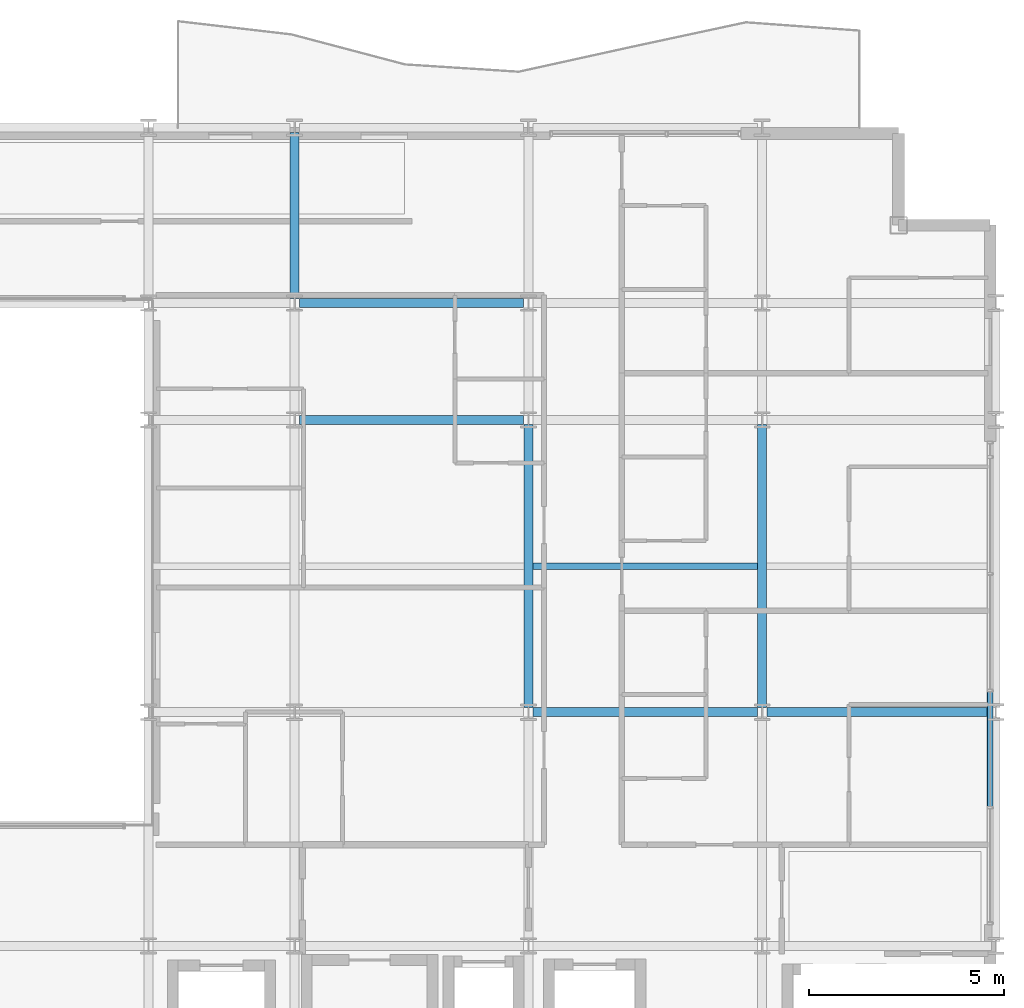
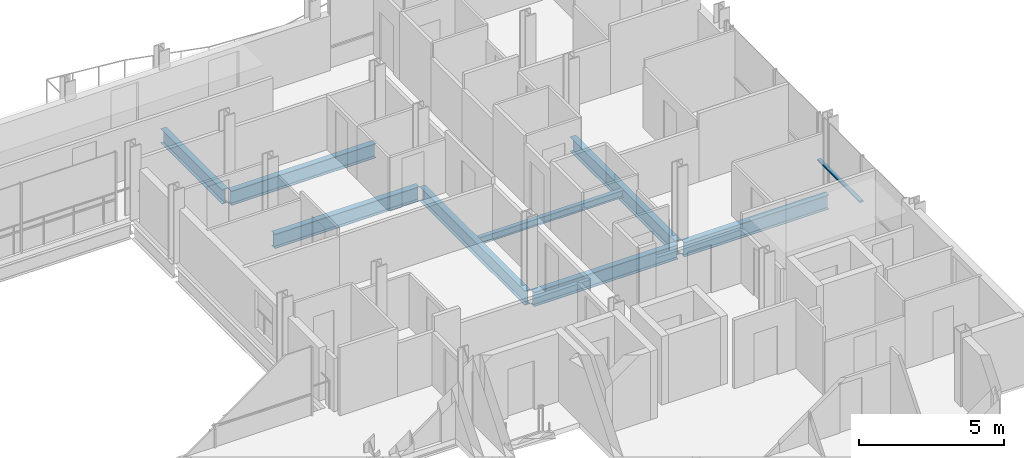
# One storey, part 18 of 41: 8 beams, 1 member, 1 element without a shape of its own.
"""IFC4 building model written with IfcOpenShell, lengths in metres."""

from ifc_helpers import new_model, si_unit, direction, frame, origin, origin_2d, place, context, subcontext, project, spatial, hollow_rectangle, i_section, extrude, material, layer, layer_set, material_profile, profile_set, type_object, element, aggregate, save


model = new_model("IFC4")

# Units and contexts
model_context = context("Model", 3, precision=1e-05, world=origin(), true_north=direction((0.0, 1.0)))
body_context = subcontext(model_context, "Body", "Model", "MODEL_VIEW")
ifc_project = project(units=[si_unit("LENGTHUNIT", "METRE"), si_unit("AREAUNIT", "SQUARE_METRE"), si_unit("VOLUMEUNIT", "CUBIC_METRE"), si_unit("PLANEANGLEUNIT", "RADIAN"), si_unit("MASSUNIT", "GRAM", prefix="KILO")], contexts=[model_context])

# Site, building, storey
site_placement = place(None, origin())
site = spatial("IfcSite", under=ifc_project, at=site_placement, CompositionType="ELEMENT")
building_placement = place(site_placement, origin())
building = spatial("IfcBuilding", under=site, at=building_placement, Name="Brevholm Reach", CompositionType="ELEMENT")
storey_placement = place(building_placement, frame((0.0, 0.0, 100.39990234375)))
storey = spatial("IfcBuildingStorey", under=building, at=storey_placement, Name="L29", CompositionType="ELEMENT", Elevation=100.39990234375)

# Beams
ifc_material_1 = material(Name="Structural Steel S355J2", Category="steel")
ifc_material_profile_1 = material_profile(ifc_material_1, i_section(OverallWidth=0.1650390625, OverallDepth=0.303466796875, WebThickness=0.006103515625, FlangeThickness=0.01025390625, FilletRadius=0.0087890625, at=origin_2d()), Name="UKB 305x165x40")
ifc_profile_set_1 = profile_set([ifc_material_profile_1], Name="Structural Steel S355J2")
beam_type_1 = type_object("IfcBeamType", Name="BM-B305", PredefinedType="BEAM", material=ifc_profile_set_1)
beam_1_placement = place(storey_placement, frame((48.114501953125, 19.75, -0.37158203125), z_axis=(1.0, 0.0, 0.0), x_axis=(0.0, 1.0, 0.0)))
element("IfcBeam", 1, at=beam_1_placement, inside=storey, type_object=beam_type_1, Name="L29 Composite Secondary Floor Beam", PredefinedType="BEAM", context=body_context, shape_type="SweptSolid", body=[
    extrude(i_section(OverallWidth=0.1650390625, OverallDepth=0.303466796875, WebThickness=0.006103515625, FlangeThickness=0.01025390625, FilletRadius=0.0087890625, at=origin_2d()), origin(), (0.0, 0.0, 1.0), 5.77099609375),
])
ifc_material_2 = material(Name="Structural Steel S355J2", Category="steel")
ifc_material_profile_2 = material_profile(ifc_material_2, i_section(OverallWidth=0.22900390625, OverallDepth=0.6123046875, WebThickness=0.011962890625, FlangeThickness=0.01953125, FilletRadius=0.0126953125, at=origin_2d()), Name="UKB 610x229x125")
ifc_profile_set_2 = profile_set([ifc_material_profile_2], Name="Structural Steel S355J2")
beam_type_2 = type_object("IfcBeamType", Name="BM-SP610", PredefinedType="SPANDREL", material=ifc_profile_set_2)
for number, where, z_axis, x_axis, name in (
    (2, (48.1201171875, 16.0, -0.526123046875), (1.0, 0.0, 0.0), (0.0, 1.0, 0.0), "L29 SP-01 Framing Beam"),
    (3, (54.1201171875, 16.0, -0.526123046875), (1.0, 0.0, 0.0), (0.0, 1.0, 0.0), "L29 SP-01 Framing Beam"),
    (4, (42.1201171875, 23.5, -0.526123046875), (1.0, 0.0, 0.0), (0.0, 1.0, 0.0), "L29 SP-01 Framing Beam"),
    (5, (42.1201171875, 26.5, -0.526123046875), (1.0, 0.0, 0.0), (0.0, 1.0, 0.0), "L29 SP-01 Framing Beam"),
):
    element("IfcBeam", number, at=place(storey_placement, frame(where, z_axis=z_axis, x_axis=x_axis)), inside=storey, type_object=beam_type_2, Name=name, PredefinedType="SPANDREL", context=body_context, shape_type="SweptSolid", body=[
        extrude(i_section(OverallWidth=0.22900390625, OverallDepth=0.6123046875, WebThickness=0.011962890625, FlangeThickness=0.01953125, FilletRadius=0.0126953125, at=origin_2d()), origin(), (0.0, 0.0, 1.0), 5.759765625),
    ])
beam_2_placement = place(storey_placement, frame((42.0, 26.6201171875, -0.526123046875), z_axis=(0.0, 1.0, 0.0), x_axis=(-1.0, 0.0, 0.0)))
element("IfcBeam", 6, at=beam_2_placement, inside=storey, type_object=beam_type_2, Name="L29 SP-01 Framing Beam", PredefinedType="SPANDREL", context=body_context, shape_type="SweptSolid", body=[
    extrude(i_section(OverallWidth=0.22900390625, OverallDepth=0.6123046875, WebThickness=0.011962890625, FlangeThickness=0.01953125, FilletRadius=0.0126953125, at=origin_2d()), origin(), (0.0, 0.0, 1.0), 4.259765625),
])
for number, where, z_axis, x_axis, name in (
    (7, (48.0, 16.1201171875, -0.526123046875), (0.0, 1.0, 0.0), (-1.0, 0.0, 0.0), "L29 SP-01 Framing Beam"),
    (8, (54.0, 16.1201171875, -0.526123046875), (0.0, 1.0, 0.0), (-1.0, 0.0, 0.0), "L29 SP-01 Framing Beam"),
):
    element("IfcBeam", number, at=place(storey_placement, frame(where, z_axis=z_axis, x_axis=x_axis)), inside=storey, type_object=beam_type_2, Name=name, PredefinedType="SPANDREL", context=body_context, shape_type="SweptSolid", body=[
        extrude(i_section(OverallWidth=0.22900390625, OverallDepth=0.6123046875, WebThickness=0.011962890625, FlangeThickness=0.01953125, FilletRadius=0.0126953125, at=origin_2d()), origin(), (0.0, 0.0, 1.0), 7.259765625),
    ])

# Curtain wall, member
ifc_material_3 = material(Name="Dark Anodised Aluminium 6063-T6 and Solar-Control Glass", Category="aluminium")
ifc_layer = layer(ifc_material_3, 0.14990234375)
ifc_layer_set = layer_set([ifc_layer], Name="Dark Anodised Aluminium 6063-T6 and Solar-Control Glass")
curtain_wall_type = type_object("IfcCurtainWallType", Name="CW-01", PredefinedType="NOTDEFINED", material=ifc_layer_set)
curtain_wall_placement = place(storey_placement, origin())
curtain_wall = element("IfcCurtainWall", 9, at=curtain_wall_placement, inside=storey, type_object=curtain_wall_type, Name="L29 Curtain Wall CW-01", PredefinedType="NOTDEFINED")
ifc_material_4 = material(Name="Dark Anodised Aluminium 6063-T6", Category="aluminium")
ifc_material_profile_3 = material_profile(ifc_material_4, hollow_rectangle(XDim=0.06494140625, YDim=0.14990234375, WallThickness=0.0048828125, InnerFilletRadius=0.0048828125, OuterFilletRadius=0.010009765625, at=origin_2d()), Name="RHS 150x65x5")
ifc_profile_set_3 = profile_set([ifc_material_profile_3], Name="Dark Anodised Aluminium 6063-T6")
member_type = type_object("IfcMemberType", Name="CWT-150", PredefinedType="NOTDEFINED", material=ifc_profile_set_3)
member_placement = place(storey_placement, frame((59.85009765625, 13.58251953125, 0.900146484375), z_axis=(0.0, 1.0, 0.0), x_axis=(0.0, 0.0, 1.0)))
member = element("IfcMember", 10, at=member_placement, type_object=member_type, Name="CT-150 Transom 2.1", ObjectType="TRANSOM", PredefinedType="USERDEFINED", context=body_context, shape_type="SweptSolid", body=[
    extrude(hollow_rectangle(XDim=0.06494140625, YDim=0.14990234375, WallThickness=0.0048828125, InnerFilletRadius=0.0048828125, OuterFilletRadius=0.010009765625, at=origin_2d()), origin(), (0.0, 0.0, 1.0), 2.93505859375),
])
aggregate(curtain_wall, [member])

save(model, "model.ifc")
